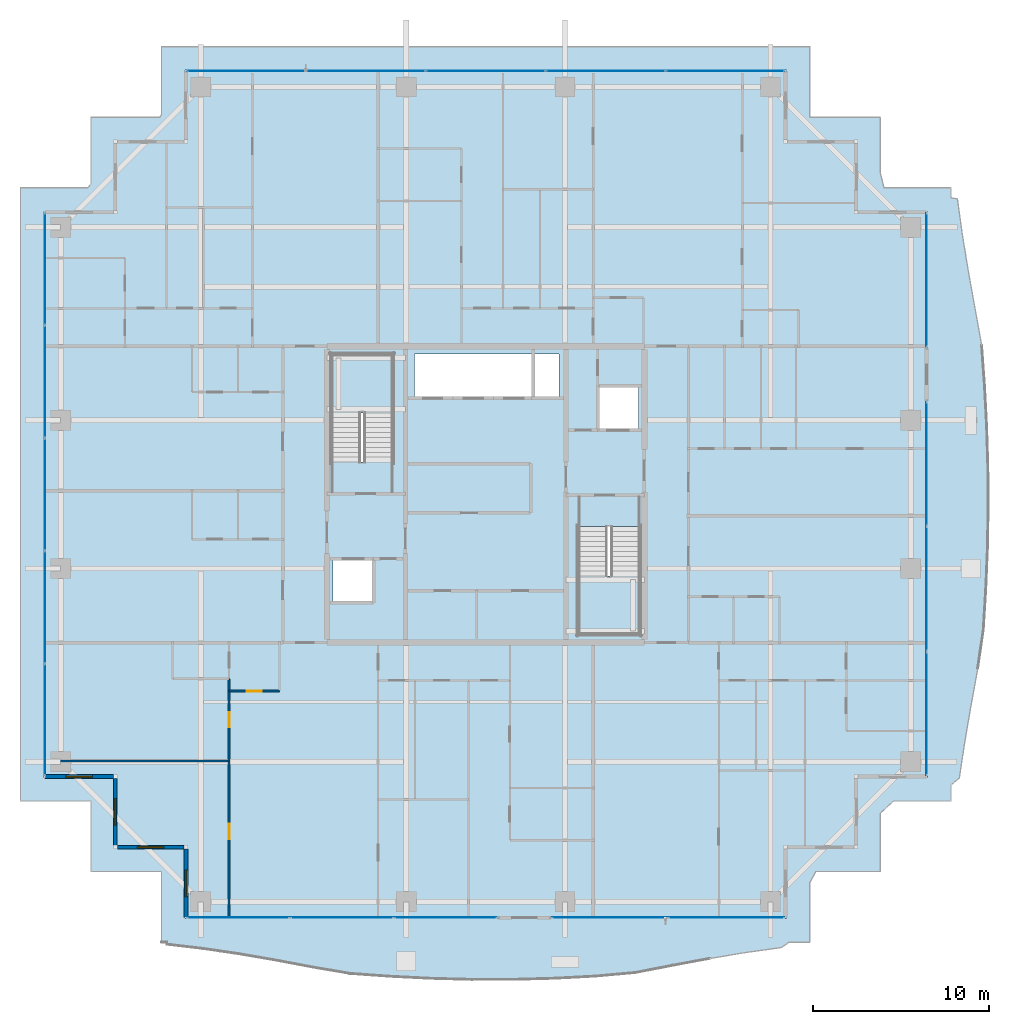
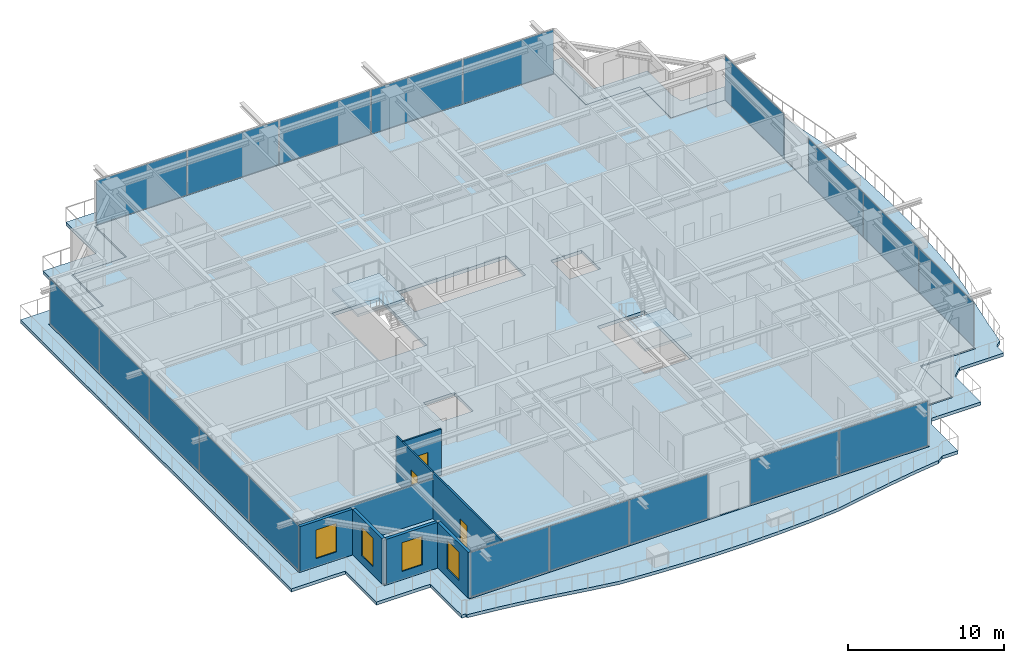
# One storey, part 25 of 38: 19 plates, 8 walls, 4 slabs, 4 windows, 3 doors, 7 openings, 8 elements without a shape of their own.
"""IFC4 building model written with IfcOpenShell, lengths in metres."""

from ifc_helpers import new_model, si_unit, direction, frame, frame_2d, origin, origin_2d, place, context, subcontext, project, spatial, polyline, rectangle, outline, extrude, source, transform, mapped, material, layer, layer_set, type_object, element, fill, aggregate, save


model = new_model("IFC4")

# Units and contexts
model_context = context("Model", 3, precision=1e-05, world=origin(), true_north=direction((0.0, 1.0)))
body_context = subcontext(model_context, "Body", "Model", "MODEL_VIEW")
ifc_project = project(units=[si_unit("LENGTHUNIT", "METRE"), si_unit("AREAUNIT", "SQUARE_METRE"), si_unit("VOLUMEUNIT", "CUBIC_METRE"), si_unit("PLANEANGLEUNIT", "RADIAN"), si_unit("MASSUNIT", "GRAM", prefix="KILO")], contexts=[model_context])

# Site, building, storey
site_placement = place(None, origin())
site = spatial("IfcSite", under=ifc_project, at=site_placement, CompositionType="ELEMENT")
building_placement = place(site_placement, origin())
building = spatial("IfcBuilding", under=site, at=building_placement, Name="Serunith Strait Residences", CompositionType="ELEMENT")
storey_placement = place(building_placement, frame((0.0, 0.0, 229.699951171875)))
storey = spatial("IfcBuildingStorey", under=building, at=storey_placement, Name="L57", CompositionType="ELEMENT", Elevation=229.699951171875)

# Slab
ifc_material_1 = material(Name="Concrete C50/60", Category="concrete")
ifc_layer_1 = layer(ifc_material_1, 0.239990234375, Name="Concrete C50/60")
ifc_layer_set_1 = layer_set([ifc_layer_1], Name="Concrete C50/60")
slab_type_1 = type_object("IfcSlabType", Name="SLB-BALC-240", PredefinedType="FLOOR", material=ifc_layer_set_1)
slab_1_placement = place(storey_placement, frame((0.0, 0.0, -0.2900390625)))
element("IfcSlab", 1, at=slab_1_placement, inside=storey, type_object=slab_type_1, Name="L57 Planted Vertical-Forest Balcony Slab", PredefinedType="FLOOR", context=body_context, shape_type="SweptSolid", body=[
    extrude(outline(polyline([(14.02001953125, -0.179931640625), (14.02001953125, 3.820068359375), (10.02001953125, 3.820068359375), (10.02001953125, 7.820068359375), (6.02001953125, 7.820068359375), (6.02001953125, 42.580078125), (9.824951171875, 42.580078125), (10.02001953125, 42.802001953125), (10.02001953125, 46.580078125), (13.9189453125, 46.580078125), (14.02001953125, 46.734619140625), (14.02001953125, 50.580078125), (50.780029296875, 50.580078125), (50.780029296875, 46.580078125), (54.780029296875, 46.580078125), (54.780029296875, 43.414306640625), (54.98291015625, 42.580078125), (58.780029296875, 42.580078125), (58.780029296875, 42.021240234375), (59.14404296875, 41.959716796875), (59.42578125, 39.92919921875), (59.759765625, 37.876708984375), (60.13525390625, 35.78564453125), (60.52783203125, 33.638427734375), (60.691162109375, 31.376953125), (60.810791015625, 29.082763671875), (60.882080078125, 26.7666015625), (60.897705078125, 24.440185546875), (60.856201171875, 22.1171875), (60.76123046875, 19.811279296875), (60.620849609375, 17.533203125), (60.30224609375, 15.34130859375), (59.9150390625, 13.23095703125), (59.56103515625, 11.166748046875), (59.25634765625, 9.131103515625), (58.780029296875, 8.728271484375), (58.780029296875, 7.820068359375), (55.514892578125, 7.820068359375), (54.780029296875, 7.134765625), (54.780029296875, 3.820068359375), (51.12109375, 3.820068359375), (50.780029296875, 3.201171875), (50.780029296875, -0.179931640625), (49.6083984375, -0.179931640625), (49.168212890625, -0.4873046875), (47.143798828125, -0.770751953125), (45.099365234375, -1.112548828125), (43.01611328125, -1.50244140625), (40.87353515625, -1.9150390625), (38.61328125, -2.119384765625), (36.306396484375, -2.239990234375), (33.975830078125, -2.30419921875), (31.635986328125, -2.305908203125), (29.302978515625, -2.2451171875), (26.9912109375, -2.128662109375), (24.7119140625, -1.967529296875), (22.537353515625, -1.596435546875), (20.43798828125, -1.19921875), (18.38232421875, -0.845458984375), (16.351806640625, -0.548583984375), (14.330810546875, -0.309326171875), (14.331787109375, -0.179931640625), (14.02001953125, -0.179931640625)]), holes=[polyline([(49.455078125, 1.14501953125), (49.455078125, 5.14501953125), (53.455078125, 5.14501953125), (53.455078125, 9.14501953125), (57.455078125, 9.14501953125), (57.455078125, 41.2548828125), (53.455078125, 41.2548828125), (53.455078125, 45.2548828125), (49.455078125, 45.2548828125), (49.455078125, 49.2548828125), (15.344970703125, 49.2548828125), (15.344970703125, 45.2548828125), (11.344970703125, 45.2548828125), (11.344970703125, 41.2548828125), (7.344970703125, 41.2548828125), (7.344970703125, 9.14501953125), (11.344970703125, 9.14501953125), (11.344970703125, 5.14501953125), (15.344970703125, 5.14501953125), (15.344970703125, 1.14501953125), (49.455078125, 1.14501953125)])]), origin(), (0.0, 0.0, 1.0), 0.239990234375),
])

# Stair, slab
stair_type_1 = type_object("IfcStairType", Name="STR-CORE-1", PredefinedType="HALF_TURN_STAIR", material=ifc_material_1)
stair_1_placement = place(storey_placement, origin())
stair_1 = element("IfcStair", 2, at=stair_1_placement, inside=storey, type_object=stair_type_1, Name="L57 Protected Escape Stair ST-1", PredefinedType="HALF_TURN_STAIR")
ifc_layer_2 = layer(ifc_material_1, 0.199951171875, Name="Concrete C50/60")
ifc_layer_set_2 = layer_set([ifc_layer_2], Name="Concrete C50/60")
slab_type_2 = type_object("IfcSlabType", Name="SLB-LAND-200", PredefinedType="LANDING", material=ifc_layer_set_2)
slab_2_placement = place(storey_placement, frame((0.0, 0.0, 1.72509765625)))
slab_2 = element("IfcSlab", 3, at=slab_2_placement, type_object=slab_type_2, Name="ST-1 landing 1", PredefinedType="LANDING", context=body_context, shape_type="SweptSolid", body=[
    extrude(outline(polyline([(27.14990234375, 29.830078125), (27.14990234375, 33.14990234375), (23.64990234375, 33.14990234375), (23.64990234375, 29.830078125), (27.14990234375, 29.830078125)])), origin(), (0.0, 0.0, 1.0), 0.199951171875),
])
aggregate(stair_1, [slab_2])

stair_type_2 = type_object("IfcStairType", Name="STR-CORE-2", PredefinedType="HALF_TURN_STAIR", material=ifc_material_1)
stair_2_placement = place(storey_placement, origin())
stair_2 = element("IfcStair", 4, at=stair_2_placement, inside=storey, type_object=stair_type_2, Name="L57 Protected Escape Stair ST-2", PredefinedType="HALF_TURN_STAIR")
slab_3_placement = place(storey_placement, frame((0.0, 0.0, 1.72509765625)))
slab_3 = element("IfcSlab", 5, at=slab_3_placement, type_object=slab_type_2, Name="ST-2 landing 1", PredefinedType="LANDING", context=body_context, shape_type="SweptSolid", body=[
    extrude(outline(polyline([(37.64990234375, 20.570068359375), (37.64990234375, 17.25), (41.14990234375, 17.25), (41.14990234375, 20.570068359375), (37.64990234375, 20.570068359375)])), origin(), (0.0, 0.0, 1.0), 0.199951171875),
])
aggregate(stair_2, [slab_3])

# Slab
ifc_material_2 = material(Name="Concrete C60/75", Category="concrete")
ifc_layer_3 = layer(ifc_material_2, 0.260009765625, Name="Concrete C60/75")
ifc_layer_set_3 = layer_set([ifc_layer_3], Name="Concrete C60/75")
slab_type_3 = type_object("IfcSlabType", Name="SLB-TWR-275-Z3", PredefinedType="FLOOR", material=ifc_layer_set_3)
slab_4_placement = place(storey_placement, frame((0.0, 0.0, -0.260009765625)))
element("IfcSlab", 6, at=slab_4_placement, inside=storey, type_object=slab_type_3, Name="L57 Structural Floor Plate", PredefinedType="FLOOR", context=body_context, shape_type="SweptSolid", body=[
    extrude(outline(polyline([(15.39990234375, 5.199951171875), (11.39990234375, 5.199951171875), (11.39990234375, 9.199951171875), (7.39990234375, 9.199951171875), (7.39990234375, 41.199951171875), (11.39990234375, 41.199951171875), (11.39990234375, 45.199951171875), (15.39990234375, 45.199951171875), (15.39990234375, 49.199951171875), (49.39990234375, 49.199951171875), (49.39990234375, 45.199951171875), (53.39990234375, 45.199951171875), (53.39990234375, 41.199951171875), (57.39990234375, 41.199951171875), (57.39990234375, 9.199951171875), (53.39990234375, 9.199951171875), (53.39990234375, 5.199951171875), (49.39990234375, 5.199951171875), (49.39990234375, 1.199951171875), (15.39990234375, 1.199951171875), (15.39990234375, 5.199951171875)]), holes=[polyline([(41.14990234375, 23.3701171875), (37.64990234375, 23.3701171875), (37.64990234375, 17.25), (41.14990234375, 17.25), (41.14990234375, 23.3701171875)]), polyline([(38.75, 31.25), (38.75, 28.85009765625), (41.050048828125, 28.85009765625), (41.050048828125, 31.25), (38.75, 31.25)]), polyline([(36.550048828125, 33.14990234375), (28.35009765625, 33.14990234375), (28.35009765625, 30.64990234375), (36.550048828125, 30.64990234375), (36.550048828125, 33.14990234375)]), polyline([(23.64990234375, 33.14990234375), (23.64990234375, 27.030029296875), (27.14990234375, 27.030029296875), (27.14990234375, 33.14990234375), (23.64990234375, 33.14990234375)]), polyline([(23.75, 21.550048828125), (23.75, 19.14990234375), (26.050048828125, 19.14990234375), (26.050048828125, 21.550048828125), (23.75, 21.550048828125)])]), origin(), (0.0, 0.0, 1.0), 0.260009765625),
])

# Curtain wall, plates
ifc_material_3 = material(Name="Pale-Champagne Anodised Aluminium", Category="aluminium")
ifc_layer_4 = layer(ifc_material_3, 0.199951171875, Name="Pale-Champagne Anodised Aluminium")
ifc_layer_set_4 = layer_set([ifc_layer_4], Name="Pale-Champagne Anodised Aluminium")
curtain_wall_type = type_object("IfcCurtainWallType", Name="CW-SYS4", PredefinedType="NOTDEFINED", material=ifc_layer_set_4)
curtain_wall_1_placement = place(storey_placement, origin())
curtain_wall_1 = element("IfcCurtainWall", 7, at=curtain_wall_1_placement, inside=storey, type_object=curtain_wall_type, Name="L57 W Unitised Fritted Curtain Wall", PredefinedType="NOTDEFINED")
ifc_material_4 = material(Name="Ceramic-Printed Solar-Control Glazing 28mm", Category="glass")
ifc_layer_5 = layer(ifc_material_4, 0.028076171875, Name="Ceramic-Printed Solar-Control Glazing 28mm")
ifc_layer_set_5 = layer_set([ifc_layer_5], Name="Ceramic-Printed Solar-Control Glazing 28mm")
plate_type = type_object("IfcPlateType", Name="CW-SYS4-PNL", PredefinedType="CURTAIN_PANEL", material=ifc_layer_set_5)
shared_shape_1 = source(origin(), body_context, "Body", "SweptSolid", [
    extrude(rectangle(XDim=6.302490234375, YDim=0.028076171875, at=origin_2d()), origin(), (0.0, 0.0, 1.0), 3.455078125),
])
plate_1_placement = place(storey_placement, frame((7.39990234375, 37.983642578125, 0.06005859375), z_axis=(0.0, 0.0, 1.0), x_axis=(0.0, -1.0, 0.0)))
plate_1 = element("IfcPlate", 8, at=plate_1_placement, type_object=plate_type, Name="CW-4 panel 1.1", PredefinedType="CURTAIN_PANEL", context=body_context, shape_type="MappedRepresentation", body=[
    mapped(shared_shape_1, transform((0.0, 0.0, 0.0), scale=1.0)),
])
plate_2_placement = place(storey_placement, frame((7.39990234375, 12.416259765625, 0.06005859375), z_axis=(0.0, 0.0, 1.0), x_axis=(0.0, -1.0, 0.0)))
plate_2 = element("IfcPlate", 9, at=plate_2_placement, type_object=plate_type, Name="CW-4 panel 5.1", PredefinedType="CURTAIN_PANEL", context=body_context, shape_type="MappedRepresentation", body=[
    mapped(shared_shape_1, transform((0.0, 0.0, 0.0), scale=1.0)),
])
shared_shape_2 = source(origin(), body_context, "Body", "SweptSolid", [
    extrude(rectangle(XDim=6.3349609375, YDim=0.028076171875, at=origin_2d()), origin(), (0.0, 0.0, 1.0), 3.455078125),
])
plate_3_placement = place(storey_placement, frame((7.39990234375, 31.60009765625, 0.06005859375), z_axis=(0.0, 0.0, 1.0), x_axis=(0.0, -1.0, 0.0)))
plate_3 = element("IfcPlate", 10, at=plate_3_placement, type_object=plate_type, Name="CW-4 panel 2.1", PredefinedType="CURTAIN_PANEL", context=body_context, shape_type="MappedRepresentation", body=[
    mapped(shared_shape_2, transform((0.0, 0.0, 0.0), scale=1.0)),
])
plate_4_placement = place(storey_placement, frame((7.39990234375, 25.199951171875, 0.06005859375), z_axis=(0.0, 0.0, 1.0), x_axis=(0.0, -1.0, 0.0)))
plate_4 = element("IfcPlate", 11, at=plate_4_placement, type_object=plate_type, Name="CW-4 panel 3.1", PredefinedType="CURTAIN_PANEL", context=body_context, shape_type="MappedRepresentation", body=[
    mapped(shared_shape_2, transform((0.0, 0.0, 0.0), scale=1.0)),
])
plate_5_placement = place(storey_placement, frame((7.39990234375, 18.800048828125, 0.06005859375), z_axis=(0.0, 0.0, 1.0), x_axis=(0.0, -1.0, 0.0)))
plate_5 = element("IfcPlate", 12, at=plate_5_placement, type_object=plate_type, Name="CW-4 panel 4.1", PredefinedType="CURTAIN_PANEL", context=body_context, shape_type="MappedRepresentation", body=[
    mapped(shared_shape_2, transform((0.0, 0.0, 0.0), scale=1.0)),
])
aggregate(curtain_wall_1, [plate_1, plate_3, plate_4, plate_5, plate_2])

curtain_wall_2_placement = place(storey_placement, origin())
curtain_wall_2 = element("IfcCurtainWall", 13, at=curtain_wall_2_placement, inside=storey, type_object=curtain_wall_type, Name="L57 N Unitised Fritted Curtain Wall", PredefinedType="NOTDEFINED")
shared_shape_3 = source(origin(), body_context, "Body", "SweptSolid", [
    extrude(rectangle(XDim=6.702392578125, YDim=0.028076171875, at=origin_2d()), origin(), (0.0, 0.0, 1.0), 3.455078125),
])
plate_6_placement = place(storey_placement, frame((45.983642578125, 49.199951171875, 0.06005859375), z_axis=(0.0, 0.0, 1.0), x_axis=(-1.0, 0.0, 0.0)))
plate_6 = element("IfcPlate", 14, at=plate_6_placement, type_object=plate_type, Name="CW-4 panel 1.1", PredefinedType="CURTAIN_PANEL", context=body_context, shape_type="MappedRepresentation", body=[
    mapped(shared_shape_3, transform((0.0, 0.0, 0.0), scale=1.0)),
])
plate_7_placement = place(storey_placement, frame((18.816162109375, 49.199951171875, 0.06005859375), z_axis=(0.0, 0.0, 1.0), x_axis=(-1.0, 0.0, 0.0)))
plate_7 = element("IfcPlate", 15, at=plate_7_placement, type_object=plate_type, Name="CW-4 panel 5.1", PredefinedType="CURTAIN_PANEL", context=body_context, shape_type="MappedRepresentation", body=[
    mapped(shared_shape_3, transform((0.0, 0.0, 0.0), scale=1.0)),
])
shared_shape_4 = source(origin(), body_context, "Body", "SweptSolid", [
    extrude(rectangle(XDim=6.735107421875, YDim=0.028076171875, at=origin_2d()), origin(), (0.0, 0.0, 1.0), 3.455078125),
])
plate_8_placement = place(storey_placement, frame((39.199951171875, 49.199951171875, 0.06005859375), z_axis=(0.0, 0.0, 1.0), x_axis=(-1.0, 0.0, 0.0)))
plate_8 = element("IfcPlate", 16, at=plate_8_placement, type_object=plate_type, Name="CW-4 panel 2.1", PredefinedType="CURTAIN_PANEL", context=body_context, shape_type="MappedRepresentation", body=[
    mapped(shared_shape_4, transform((0.0, 0.0, 0.0), scale=1.0)),
])
plate_9_placement = place(storey_placement, frame((32.39990234375, 49.199951171875, 0.06005859375), z_axis=(0.0, 0.0, 1.0), x_axis=(-1.0, 0.0, 0.0)))
plate_9 = element("IfcPlate", 17, at=plate_9_placement, type_object=plate_type, Name="CW-4 panel 3.1", PredefinedType="CURTAIN_PANEL", context=body_context, shape_type="MappedRepresentation", body=[
    mapped(shared_shape_4, transform((0.0, 0.0, 0.0), scale=1.0)),
])
plate_10_placement = place(storey_placement, frame((25.60009765625, 49.199951171875, 0.06005859375), z_axis=(0.0, 0.0, 1.0), x_axis=(-1.0, 0.0, 0.0)))
plate_10 = element("IfcPlate", 18, at=plate_10_placement, type_object=plate_type, Name="CW-4 panel 4.1", PredefinedType="CURTAIN_PANEL", context=body_context, shape_type="MappedRepresentation", body=[
    mapped(shared_shape_4, transform((0.0, 0.0, 0.0), scale=1.0)),
])
aggregate(curtain_wall_2, [plate_6, plate_8, plate_9, plate_10, plate_7])

curtain_wall_3_placement = place(storey_placement, origin())
curtain_wall_3 = element("IfcCurtainWall", 19, at=curtain_wall_3_placement, inside=storey, type_object=curtain_wall_type, Name="L57 S Unitised Fritted Curtain Wall", PredefinedType="NOTDEFINED")
shared_shape_5 = source(origin(), body_context, "Body", "SweptSolid", [
    extrude(rectangle(XDim=6.552490234375, YDim=0.028076171875, at=origin_2d()), origin(), (0.0, 0.0, 1.0), 3.455078125),
])
plate_11_placement = place(storey_placement, frame((39.441162109375, 1.199951171875, 0.06005859375), z_axis=(0.0, 0.0, 1.0), x_axis=(1.0, 0.0, 0.0)))
plate_11 = element("IfcPlate", 20, at=plate_11_placement, type_object=plate_type, Name="CW-4 panel 1.1", PredefinedType="CURTAIN_PANEL", context=body_context, shape_type="MappedRepresentation", body=[
    mapped(shared_shape_5, transform((0.0, 0.0, 0.0), scale=1.0)),
])
plate_12_placement = place(storey_placement, frame((46.058837890625, 1.199951171875, 0.06005859375), z_axis=(0.0, 0.0, 1.0), x_axis=(1.0, 0.0, 0.0)))
plate_12 = element("IfcPlate", 21, at=plate_12_placement, type_object=plate_type, Name="CW-4 panel 2.1", PredefinedType="CURTAIN_PANEL", context=body_context, shape_type="MappedRepresentation", body=[
    mapped(shared_shape_5, transform((0.0, 0.0, 0.0), scale=1.0)),
])
aggregate(curtain_wall_3, [plate_11, plate_12])

curtain_wall_4_placement = place(storey_placement, origin())
curtain_wall_4 = element("IfcCurtainWall", 22, at=curtain_wall_4_placement, inside=storey, type_object=curtain_wall_type, Name="L57 S Unitised Fritted Curtain Wall", PredefinedType="NOTDEFINED")
shared_shape_6 = source(origin(), body_context, "Body", "SweptSolid", [
    extrude(rectangle(XDim=5.802490234375, YDim=0.028076171875, at=origin_2d()), origin(), (0.0, 0.0, 1.0), 3.455078125),
])
plate_13_placement = place(storey_placement, frame((18.3662109375, 1.199951171875, 0.06005859375), z_axis=(0.0, 0.0, 1.0), x_axis=(1.0, 0.0, 0.0)))
plate_13 = element("IfcPlate", 23, at=plate_13_placement, type_object=plate_type, Name="CW-4 panel 1.1", PredefinedType="CURTAIN_PANEL", context=body_context, shape_type="MappedRepresentation", body=[
    mapped(shared_shape_6, transform((0.0, 0.0, 0.0), scale=1.0)),
])
plate_14_placement = place(storey_placement, frame((30.1337890625, 1.199951171875, 0.06005859375), z_axis=(0.0, 0.0, 1.0), x_axis=(1.0, 0.0, 0.0)))
plate_14 = element("IfcPlate", 24, at=plate_14_placement, type_object=plate_type, Name="CW-4 panel 3.1", PredefinedType="CURTAIN_PANEL", context=body_context, shape_type="MappedRepresentation", body=[
    mapped(shared_shape_6, transform((0.0, 0.0, 0.0), scale=1.0)),
])
shared_shape_7 = source(origin(), body_context, "Body", "SweptSolid", [
    extrude(rectangle(XDim=5.8349609375, YDim=0.028076171875, at=origin_2d()), origin(), (0.0, 0.0, 1.0), 3.455078125),
])
plate_15_placement = place(storey_placement, frame((24.25, 1.199951171875, 0.06005859375), z_axis=(0.0, 0.0, 1.0), x_axis=(1.0, 0.0, 0.0)))
plate_15 = element("IfcPlate", 25, at=plate_15_placement, type_object=plate_type, Name="CW-4 panel 2.1", PredefinedType="CURTAIN_PANEL", context=body_context, shape_type="MappedRepresentation", body=[
    mapped(shared_shape_7, transform((0.0, 0.0, 0.0), scale=1.0)),
])
aggregate(curtain_wall_4, [plate_13, plate_15, plate_14])

curtain_wall_5_placement = place(storey_placement, origin())
curtain_wall_5 = element("IfcCurtainWall", 26, at=curtain_wall_5_placement, inside=storey, type_object=curtain_wall_type, Name="L57 E Unitised Fritted Curtain Wall", PredefinedType="NOTDEFINED")
shared_shape_8 = source(origin(), body_context, "Body", "SweptSolid", [
    extrude(rectangle(XDim=7.00244140625, YDim=0.028076171875, at=origin_2d()), origin(), (0.0, 0.0, 1.0), 3.455078125),
])
plate_16_placement = place(storey_placement, frame((57.39990234375, 12.766357421875, 0.06005859375), z_axis=(0.0, 0.0, 1.0), x_axis=(0.0, 1.0, 0.0)))
plate_16 = element("IfcPlate", 27, at=plate_16_placement, type_object=plate_type, Name="CW-4 panel 1.1", PredefinedType="CURTAIN_PANEL", context=body_context, shape_type="MappedRepresentation", body=[
    mapped(shared_shape_8, transform((0.0, 0.0, 0.0), scale=1.0)),
])
plate_17_placement = place(storey_placement, frame((57.39990234375, 26.933837890625, 0.06005859375), z_axis=(0.0, 0.0, 1.0), x_axis=(0.0, 1.0, 0.0)))
plate_17 = element("IfcPlate", 28, at=plate_17_placement, type_object=plate_type, Name="CW-4 panel 3.1", PredefinedType="CURTAIN_PANEL", context=body_context, shape_type="MappedRepresentation", body=[
    mapped(shared_shape_8, transform((0.0, 0.0, 0.0), scale=1.0)),
])
shared_shape_9 = source(origin(), body_context, "Body", "SweptSolid", [
    extrude(rectangle(XDim=7.034912109375, YDim=0.028076171875, at=origin_2d()), origin(), (0.0, 0.0, 1.0), 3.455078125),
])
plate_18_placement = place(storey_placement, frame((57.39990234375, 19.85009765625, 0.06005859375), z_axis=(0.0, 0.0, 1.0), x_axis=(0.0, 1.0, 0.0)))
plate_18 = element("IfcPlate", 29, at=plate_18_placement, type_object=plate_type, Name="CW-4 panel 2.1", PredefinedType="CURTAIN_PANEL", context=body_context, shape_type="MappedRepresentation", body=[
    mapped(shared_shape_9, transform((0.0, 0.0, 0.0), scale=1.0)),
])
aggregate(curtain_wall_5, [plate_16, plate_18, plate_17])

# Curtain wall, plate
curtain_wall_6_placement = place(storey_placement, origin())
curtain_wall_6 = element("IfcCurtainWall", 30, at=curtain_wall_6_placement, inside=storey, type_object=curtain_wall_type, Name="L57 E Unitised Fritted Curtain Wall", PredefinedType="NOTDEFINED")
shared_shape_10 = source(origin(), body_context, "Body", "SweptSolid", [
    extrude(rectangle(XDim=7.570068359375, YDim=0.028076171875, at=origin_2d()), origin(), (0.0, 0.0, 1.0), 3.455078125),
])
plate_19_placement = place(storey_placement, frame((57.39990234375, 37.35009765625, 0.06005859375), z_axis=(0.0, 0.0, 1.0), x_axis=(0.0, 1.0, 0.0)))
plate_19 = element("IfcPlate", 31, at=plate_19_placement, type_object=plate_type, Name="CW-4 panel 1.1", PredefinedType="CURTAIN_PANEL", context=body_context, shape_type="MappedRepresentation", body=[
    mapped(shared_shape_10, transform((0.0, 0.0, 0.0), scale=1.0)),
])
aggregate(curtain_wall_6, [plate_19])

# Wall, opening, window
ifc_material_5 = material(Name="Pale-Champagne Aluminium Insulated Panel", Category="aluminium")
ifc_layer_6 = layer(ifc_material_5, 0.219970703125, Name="Pale-Champagne Aluminium Insulated Panel")
ifc_layer_set_6 = layer_set([ifc_layer_6], Name="Pale-Champagne Aluminium Insulated Panel")
wall_type_1 = type_object("IfcWallType", Name="EW-ALUM-220", PredefinedType="ELEMENTEDWALL", material=ifc_layer_set_6)
wall_1_placement = place(storey_placement, frame((7.39990234375, 9.199951171875, 0.0), z_axis=(0.0, 0.0, 1.0), x_axis=(1.0, 0.0, 0.0)))
wall_1 = element("IfcWall", 32, at=wall_1_placement, inside=storey, type_object=wall_type_1, Name="L57 Girih Serrated Corner Wall 17", PredefinedType="ELEMENTEDWALL", context=body_context, shape_type="SweptSolid", body=[
    extrude(rectangle(XDim=3.89013671875, YDim=0.219970703125, at=frame_2d((1.945068359375, 0.0))), origin(), (0.0, 0.0, 1.0), 3.574951171875),
])
opening_1_placement = place(wall_1_placement, frame((1.195068359375, 0.0, 0.64990234375)))
opening_1 = element("IfcOpeningElement", 33, at=opening_1_placement, cuts=wall_1, Name="Opening W-05", PredefinedType="OPENING", context=body_context, shape_type="SweptSolid", body=[
    extrude(rectangle(XDim=1.5, YDim=2.25, at=frame_2d((0.75, 1.125))), frame((0.0, 0.1201171875, 0.0), z_axis=(0.0, -1.0, 0.0), x_axis=(1.0, 0.0, 0.0)), (0.0, 0.0, 1.0), 0.239990234375),
])
ifc_material_6 = material(Name="Ceramic-Fritted Operable Aluminium Window Glass", Category="aluminium")
window_type = type_object("IfcWindowType", Name="WIN-C5", PartitioningType="DOUBLE_PANEL_VERTICAL", PredefinedType="WINDOW", material=ifc_material_6)
shared_shape_11 = source(origin(), body_context, "Body", "SweptSolid", [
    extrude(rectangle(XDim=1.5, YDim=2.25, at=frame_2d((0.75, 1.125))), frame((0.0, 0.030029296875, 0.0), z_axis=(0.0, -1.0, 0.0), x_axis=(1.0, 0.0, 0.0)), (0.0, 0.0, 1.0), 0.06005859375),
])
window_1_placement = place(opening_1_placement, origin())
window_1 = element("IfcWindow", 34, at=window_1_placement, inside=storey, type_object=window_type, Name="L57 Corner Operable Fritted Window 17", OverallHeight=2.25, OverallWidth=1.5, PartitioningType="SINGLE_PANEL", PredefinedType="WINDOW", context=body_context, shape_type="MappedRepresentation", body=[
    mapped(shared_shape_11, transform((0.0, 0.0, 0.0), scale=1.0)),
])
fill(opening_1, window_1)

wall_2_placement = place(storey_placement, frame((11.39990234375, 9.090087890625, 0.0), z_axis=(0.0, 0.0, 1.0), x_axis=(0.0, -1.0, 0.0)))
wall_2 = element("IfcWall", 35, at=wall_2_placement, inside=storey, type_object=wall_type_1, Name="L57 Girih Serrated Corner Wall 18", PredefinedType="ELEMENTEDWALL", context=body_context, shape_type="SweptSolid", body=[
    extrude(rectangle(XDim=3.780029296875, YDim=0.219970703125, at=frame_2d((1.89013671875, 0.0))), origin(), (0.0, 0.0, 1.0), 3.574951171875),
])
opening_2_placement = place(wall_2_placement, frame((1.139892578125, 0.0, 0.64990234375)))
opening_2 = element("IfcOpeningElement", 36, at=opening_2_placement, cuts=wall_2, Name="Opening W-05", PredefinedType="OPENING", context=body_context, shape_type="SweptSolid", body=[
    extrude(rectangle(XDim=1.5, YDim=2.25, at=frame_2d((0.75, 1.125))), frame((0.0, 0.1201171875, 0.0), z_axis=(0.0, -1.0, 0.0), x_axis=(1.0, 0.0, 0.0)), (0.0, 0.0, 1.0), 0.239990234375),
])
window_2_placement = place(opening_2_placement, origin())
window_2 = element("IfcWindow", 37, at=window_2_placement, inside=storey, type_object=window_type, Name="L57 Corner Operable Fritted Window 18", OverallHeight=2.25, OverallWidth=1.5, PartitioningType="SINGLE_PANEL", PredefinedType="WINDOW", context=body_context, shape_type="MappedRepresentation", body=[
    mapped(shared_shape_11, transform((0.0, 0.0, 0.0), scale=1.0)),
])
fill(opening_2, window_2)

wall_3_placement = place(storey_placement, frame((11.510009765625, 5.199951171875, 0.0), z_axis=(0.0, 0.0, 1.0), x_axis=(1.0, 0.0, 0.0)))
wall_3 = element("IfcWall", 38, at=wall_3_placement, inside=storey, type_object=wall_type_1, Name="L57 Girih Serrated Corner Wall 19", PredefinedType="ELEMENTEDWALL", context=body_context, shape_type="SweptSolid", body=[
    extrude(rectangle(XDim=3.780029296875, YDim=0.219970703125, at=frame_2d((1.89013671875, 0.0))), origin(), (0.0, 0.0, 1.0), 3.574951171875),
])
opening_3_placement = place(wall_3_placement, frame((1.139892578125, 0.0, 0.64990234375)))
opening_3 = element("IfcOpeningElement", 39, at=opening_3_placement, cuts=wall_3, Name="Opening W-05", PredefinedType="OPENING", context=body_context, shape_type="SweptSolid", body=[
    extrude(rectangle(XDim=1.5, YDim=2.25, at=frame_2d((0.75, 1.125))), frame((0.0, 0.1201171875, 0.0), z_axis=(0.0, -1.0, 0.0), x_axis=(1.0, 0.0, 0.0)), (0.0, 0.0, 1.0), 0.239990234375),
])
window_3_placement = place(opening_3_placement, origin())
window_3 = element("IfcWindow", 40, at=window_3_placement, inside=storey, type_object=window_type, Name="L57 Corner Operable Fritted Window 19", OverallHeight=2.25, OverallWidth=1.5, PartitioningType="SINGLE_PANEL", PredefinedType="WINDOW", context=body_context, shape_type="MappedRepresentation", body=[
    mapped(shared_shape_11, transform((0.0, 0.0, 0.0), scale=1.0)),
])
fill(opening_3, window_3)

wall_4_placement = place(storey_placement, frame((15.39990234375, 5.090087890625, 0.0), z_axis=(0.0, 0.0, 1.0), x_axis=(0.0, -1.0, 0.0)))
wall_4 = element("IfcWall", 41, at=wall_4_placement, inside=storey, type_object=wall_type_1, Name="L57 Girih Serrated Corner Wall 20", PredefinedType="ELEMENTEDWALL", context=body_context, shape_type="SweptSolid", body=[
    extrude(rectangle(XDim=3.89013671875, YDim=0.219970703125, at=frame_2d((1.945068359375, 0.0))), origin(), (0.0, 0.0, 1.0), 3.574951171875),
])
opening_4_placement = place(wall_4_placement, frame((1.195068359375, 0.0, 0.64990234375)))
opening_4 = element("IfcOpeningElement", 42, at=opening_4_placement, cuts=wall_4, Name="Opening W-05", PredefinedType="OPENING", context=body_context, shape_type="SweptSolid", body=[
    extrude(rectangle(XDim=1.5, YDim=2.25, at=frame_2d((0.75, 1.125))), frame((0.0, 0.1201171875, 0.0), z_axis=(0.0, -1.0, 0.0), x_axis=(1.0, 0.0, 0.0)), (0.0, 0.0, 1.0), 0.239990234375),
])
window_4_placement = place(opening_4_placement, origin())
window_4 = element("IfcWindow", 43, at=window_4_placement, inside=storey, type_object=window_type, Name="L57 Corner Operable Fritted Window 20", OverallHeight=2.25, OverallWidth=1.5, PartitioningType="SINGLE_PANEL", PredefinedType="WINDOW", context=body_context, shape_type="MappedRepresentation", body=[
    mapped(shared_shape_11, transform((0.0, 0.0, 0.0), scale=1.0)),
])
fill(opening_4, window_4)

# Wall, opening, door
ifc_material_7 = material(Name="Lightweight steel-stud gypsum partition", Category="steel")
ifc_layer_7 = layer(ifc_material_7, 0.1201171875, Name="Lightweight steel-stud gypsum partition")
ifc_layer_set_7 = layer_set([ifc_layer_7], Name="Lightweight steel-stud gypsum partition")
wall_type_2 = type_object("IfcWallType", Name="IW-PART-120", PredefinedType="PARTITIONING", material=ifc_layer_set_7)
wall_5_placement = place(storey_placement, frame((17.85009765625, 14.050048828125, 0.0), z_axis=(0.0, 0.0, 1.0), x_axis=(1.0, 0.0, 0.0)))
wall_5 = element("IfcWall", 44, at=wall_5_placement, inside=storey, type_object=wall_type_2, Name="L57 Partition Wall 032", PredefinedType="PARTITIONING", context=body_context, shape_type="SweptSolid", body=[
    extrude(rectangle(XDim=2.849853515625, YDim=0.1201171875, at=frame_2d((1.4248046875, 0.0))), origin(), (0.0, 0.0, 1.0), 3.590087890625),
])
opening_5_placement = place(wall_5_placement, frame((1.0, 0.0, 0.0)))
opening_5 = element("IfcOpeningElement", 45, at=opening_5_placement, cuts=wall_5, Name="Opening D-RM850", PredefinedType="OPENING", context=body_context, shape_type="SweptSolid", body=[
    extrude(rectangle(XDim=0.85009765625, YDim=2.10009765625, at=frame_2d((0.425048828125, 1.050048828125))), frame((0.0, 0.070068359375, 0.0), z_axis=(0.0, -1.0, 0.0), x_axis=(1.0, 0.0, 0.0)), (0.0, 0.0, 1.0), 0.14013671875),
])
ifc_material_8 = material(Name="Engineered timber flush study and kitchen door", Category="wood")
door_type_1 = type_object("IfcDoorType", Name="ID-ROOM-850", OperationType="NOTDEFINED", PredefinedType="DOOR", material=ifc_material_8)
shared_shape_12 = source(origin(), body_context, "Body", "SweptSolid", [
    extrude(rectangle(XDim=0.85009765625, YDim=2.10009765625, at=frame_2d((0.425048828125, 1.050048828125))), frame((0.0, 0.02490234375, 0.0), z_axis=(0.0, -1.0, 0.0), x_axis=(1.0, 0.0, 0.0)), (0.0, 0.0, 1.0), 0.050048828125),
])
door_1_placement = place(opening_5_placement, origin())
door_1 = element("IfcDoor", 46, at=door_1_placement, inside=storey, type_object=door_type_1, Name="L57 Kitchen 5701 Door", OperationType="SINGLE_SWING_LEFT", OverallHeight=2.10009765625, OverallWidth=0.85009765625, PredefinedType="DOOR", context=body_context, shape_type="MappedRepresentation", body=[
    mapped(shared_shape_12, transform((0.0, 0.0, 0.0), scale=1.0)),
])
fill(opening_5, door_1)

wall_6_placement = place(storey_placement, frame((17.85009765625, 1.294921875, 0.0), z_axis=(0.0, 0.0, 1.0), x_axis=(0.0, 1.0, 0.0)))
wall_6 = element("IfcWall", 47, at=wall_6_placement, inside=storey, type_object=wall_type_2, Name="L57 Partition Wall 034", PredefinedType="PARTITIONING", context=body_context, shape_type="SweptSolid", body=[
    extrude(rectangle(XDim=8.799072265625, YDim=0.1201171875, at=frame_2d((4.3994140625, 0.0))), origin(), (0.0, 0.0, 1.0), 3.590087890625),
])
opening_6_placement = place(wall_6_placement, frame((4.343994140625, 0.0, 0.0)))
opening_6 = element("IfcOpeningElement", 48, at=opening_6_placement, cuts=wall_6, Name="Opening D-RM900", PredefinedType="OPENING", context=body_context, shape_type="SweptSolid", body=[
    extrude(rectangle(XDim=0.89990234375, YDim=2.10009765625, at=frame_2d((0.449951171875, 1.050048828125))), frame((0.0, 0.070068359375, 0.0), z_axis=(0.0, -1.0, 0.0), x_axis=(1.0, 0.0, 0.0)), (0.0, 0.0, 1.0), 0.14013671875),
])
ifc_material_9 = material(Name="Engineered timber flush bedroom door", Category="wood")
door_type_2 = type_object("IfcDoorType", Name="ID-ROOM-900", OperationType="NOTDEFINED", PredefinedType="DOOR", material=ifc_material_9)
shared_shape_13 = source(origin(), body_context, "Body", "SweptSolid", [
    extrude(rectangle(XDim=0.89990234375, YDim=2.10009765625, at=frame_2d((0.449951171875, 1.050048828125))), frame((0.0, 0.02490234375, 0.0), z_axis=(0.0, -1.0, 0.0), x_axis=(1.0, 0.0, 0.0)), (0.0, 0.0, 1.0), 0.050048828125),
])
door_2_placement = place(opening_6_placement, origin())
door_2 = element("IfcDoor", 49, at=door_2_placement, inside=storey, type_object=door_type_2, Name="L57 Master Bedroom 1 5701 Door", OperationType="SINGLE_SWING_RIGHT", OverallHeight=2.10009765625, OverallWidth=0.89990234375, PredefinedType="DOOR", context=body_context, shape_type="MappedRepresentation", body=[
    mapped(shared_shape_13, transform((0.0, 0.0, 0.0), scale=1.0)),
])
fill(opening_6, door_2)

# Wall
wall_7_placement = place(storey_placement, frame((7.4951171875, 10.093994140625, 0.0), z_axis=(0.0, 0.0, 1.0), x_axis=(1.0, 0.0, 0.0)))
element("IfcWall", 50, at=wall_7_placement, inside=storey, type_object=wall_type_2, Name="L57 Partition Wall 035", PredefinedType="PARTITIONING", context=body_context, shape_type="SweptSolid", body=[
    extrude(rectangle(XDim=10.35498046875, YDim=0.1201171875, at=frame_2d((5.177490234375, 0.0))), origin(), (0.0, 0.0, 1.0), 3.1220703125),
])

# Wall, opening, door
wall_8_placement = place(storey_placement, frame((17.85009765625, 10.095947265625, 0.0), z_axis=(0.0, 0.0, 1.0), x_axis=(0.0, 1.0, 0.0)))
wall_8 = element("IfcWall", 51, at=wall_8_placement, inside=storey, type_object=wall_type_2, Name="L57 Partition Wall 038", PredefinedType="PARTITIONING", context=body_context, shape_type="SweptSolid", body=[
    extrude(rectangle(XDim=4.654052734375, YDim=0.1201171875, at=frame_2d((2.3271484375, 0.0))), origin(), (0.0, 0.0, 1.0), 3.590087890625),
])
opening_7_placement = place(wall_8_placement, frame((1.902099609375, 0.0, 0.0)))
opening_7 = element("IfcOpeningElement", 52, at=opening_7_placement, cuts=wall_8, Name="Opening D-RM850", PredefinedType="OPENING", context=body_context, shape_type="SweptSolid", body=[
    extrude(rectangle(XDim=0.85009765625, YDim=2.10009765625, at=frame_2d((0.425048828125, 1.050048828125))), frame((0.0, 0.070068359375, 0.0), z_axis=(0.0, -1.0, 0.0), x_axis=(1.0, 0.0, 0.0)), (0.0, 0.0, 1.0), 0.14013671875),
])
door_3_placement = place(opening_7_placement, origin())
door_3 = element("IfcDoor", 53, at=door_3_placement, inside=storey, type_object=door_type_1, Name="L57 Walk-in Wardrobe 5701 Door", OperationType="SINGLE_SWING_LEFT", OverallHeight=2.10009765625, OverallWidth=0.85009765625, PredefinedType="DOOR", context=body_context, shape_type="MappedRepresentation", body=[
    mapped(shared_shape_12, transform((0.0, 0.0, 0.0), scale=1.0)),
])
fill(opening_7, door_3)

save(model, "model.ifc")
